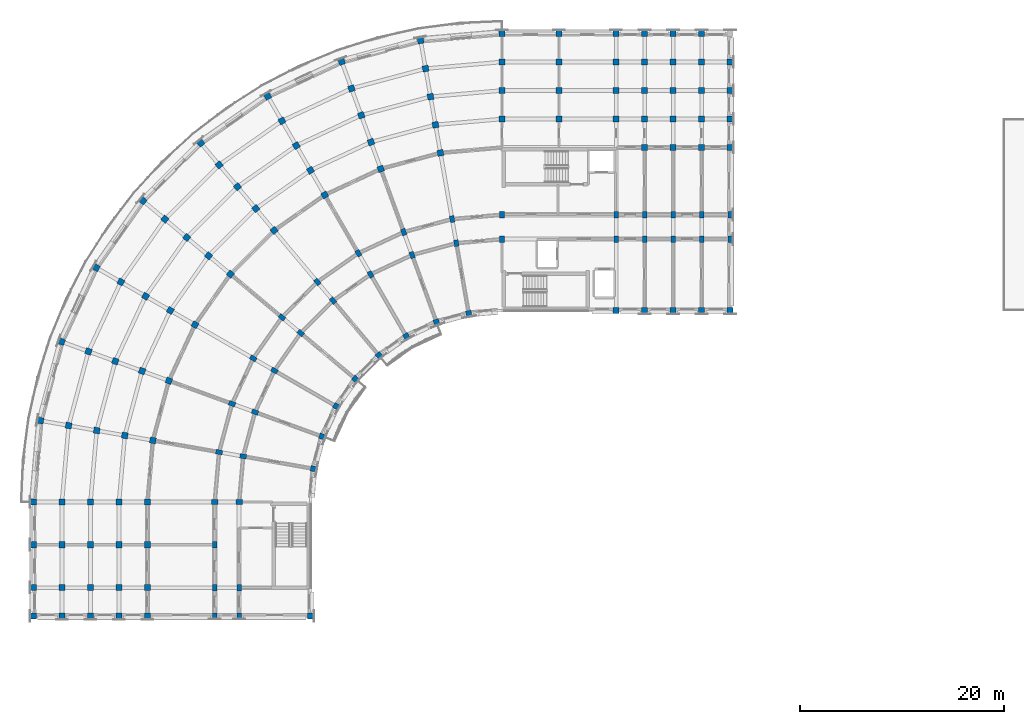
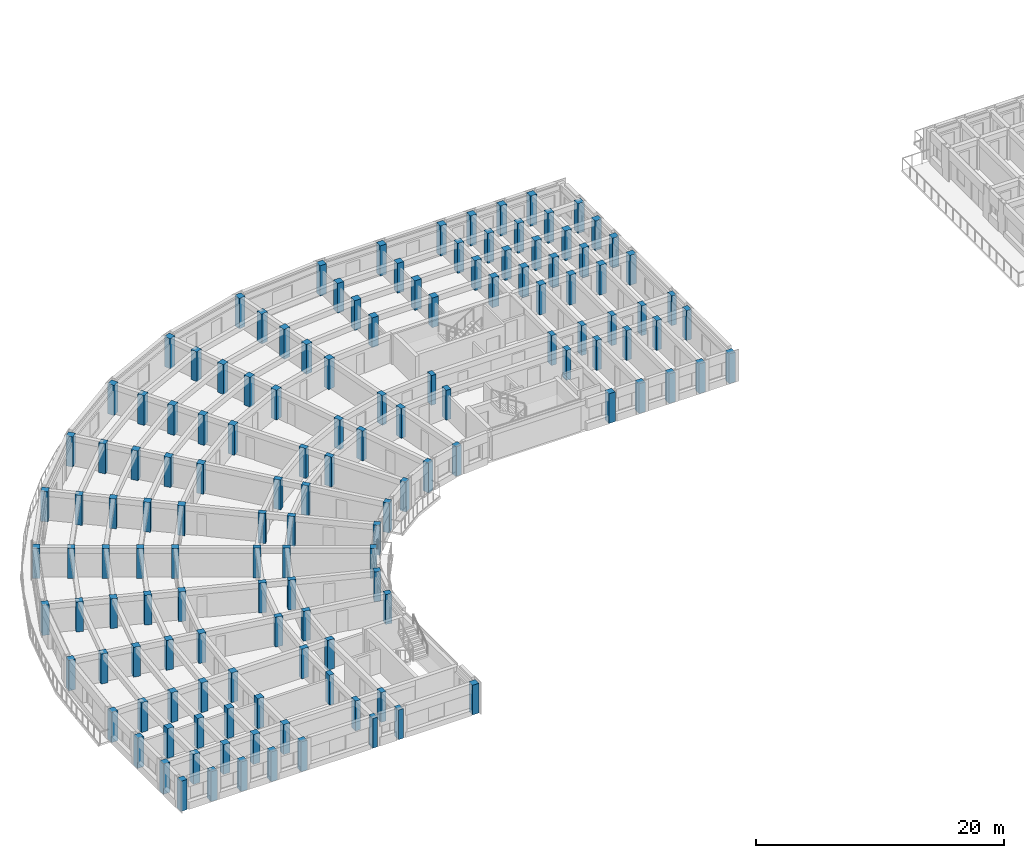
# One storey, part 1 of 36: 140 columns.
"""IFC4 building model written with IfcOpenShell, lengths in metres."""

from ifc_helpers import new_model, si_unit, direction, frame, origin, origin_2d, place, context, subcontext, project, spatial, rectangle, extrude, material, material_profile, profile_set, type_object, element, save


model = new_model("IFC4")

# Units and contexts
model_context = context("Model", 3, precision=1e-05, world=origin(), true_north=direction((0.0, 1.0)))
body_context = subcontext(model_context, "Body", "Model", "MODEL_VIEW")
ifc_project = project(units=[si_unit("LENGTHUNIT", "METRE"), si_unit("AREAUNIT", "SQUARE_METRE"), si_unit("VOLUMEUNIT", "CUBIC_METRE"), si_unit("PLANEANGLEUNIT", "RADIAN"), si_unit("MASSUNIT", "GRAM", prefix="KILO")], contexts=[model_context])

# Site, building, storey
site_placement = place(None, origin())
site = spatial("IfcSite", under=ifc_project, at=site_placement, CompositionType="ELEMENT")
building_placement = place(site_placement, origin())
building = spatial("IfcBuilding", under=site, at=building_placement, Name="Kiranvali Square Residences", CompositionType="ELEMENT")
storey_placement = place(building_placement, frame((0.0, 0.0, 37.050048828125)))
storey = spatial("IfcBuildingStorey", under=building, at=storey_placement, Name="L11", CompositionType="ELEMENT", Elevation=37.050048828125)

# Columns
ifc_material = material(Name="Concrete M40 (40 MPa)", Category="concrete")
ifc_material_profile_1 = material_profile(ifc_material, rectangle(XDim=0.550048828125, YDim=0.550048828125, at=origin_2d()), Name="RC 550x550")
ifc_profile_set_1 = profile_set([ifc_material_profile_1], Name="Concrete M40 (40 MPa)")
column_type_1 = type_object("IfcColumnType", Name="COL-M40-550", PredefinedType="COLUMN", material=ifc_profile_set_1)
for number, where, z_axis, x_axis, name in (
    (1, (44.935302734375, 106.314453125, 0.0), (0.0, 0.0, 1.0), (0.984807753012, 0.173648177667, 0.0), "Block A L11 radial column A01-R0"),
    (2, (41.77001953125, 105.46630859375, 0.0), (0.0, 0.0, 1.0), (0.939692620786, 0.342020143326, 0.0), "Block A L11 radial column A02-R0"),
    (3, (38.800048828125, 104.081298828125, 0.0), (0.0, 0.0, 1.0), (0.866025403784, 0.5, 0.0), "Block A L11 radial column A03-R0"),
    (4, (36.115478515625, 102.20166015625, 0.0), (0.0, 0.0, 1.0), (0.766044443119, 0.642787609687, 0.0), "Block A L11 radial column A04-R0"),
    (5, (33.79833984375, 99.884521484375, 0.0), (0.0, 0.0, 1.0), (0.642787609687, 0.766044443119, 0.0), "Block A L11 radial column A05-R0"),
    (6, (31.918701171875, 97.199951171875, 0.0), (0.0, 0.0, 1.0), (0.5, 0.866025403784, 0.0), "Block A L11 radial column A06-R0"),
    (7, (30.53369140625, 94.22998046875, 0.0), (0.0, 0.0, 1.0), (0.342020143326, 0.939692620786, 0.0), "Block A L11 radial column A07-R0"),
    (8, (29.685546875, 91.064697265625, 0.0), (0.0, 0.0, 1.0), (0.173648177667, 0.984807753012, 0.0), "Block A L11 radial column A08-R0"),
):
    element("IfcColumn", number, at=place(storey_placement, frame(where, z_axis=z_axis, x_axis=x_axis)), inside=storey, type_object=column_type_1, Name=name, PredefinedType="COLUMN", context=body_context, shape_type="SweptSolid", body=[
        extrude(rectangle(XDim=0.550048828125, YDim=0.550048828125, at=origin_2d()), origin(), (0.0, 0.0, 1.0), 2.929931640625),
    ])
ifc_material_profile_2 = material_profile(ifc_material, rectangle(XDim=0.60009765625, YDim=0.60009765625, at=origin_2d()), Name="RC 600x600")
ifc_profile_set_2 = profile_set([ifc_material_profile_2], Name="Concrete M40 (40 MPa)")
column_type_2 = type_object("IfcColumnType", Name="COL-M40-600", PredefinedType="COLUMN", material=ifc_profile_set_2)
for number, where, z_axis, x_axis, name in (
    (9, (48.199951171875, 125.39990234375, 0.0), (0.0, 0.0, 1.0), (1.0, 0.0, 0.0), "Block A L11 radial column A00-R4"),
    (10, (48.199951171875, 128.199951171875, 0.0), (0.0, 0.0, 1.0), (1.0, 0.0, 0.0), "Block A L11 radial column A00-R5"),
    (11, (48.199951171875, 131.0, 0.0), (0.0, 0.0, 1.0), (1.0, 0.0, 0.0), "Block A L11 radial column A00-R6"),
):
    element("IfcColumn", number, at=place(storey_placement, frame(where, z_axis=z_axis, x_axis=x_axis)), inside=storey, type_object=column_type_2, Name=name, PredefinedType="COLUMN", context=body_context, shape_type="SweptSolid", body=[
        extrude(rectangle(XDim=0.60009765625, YDim=0.60009765625, at=origin_2d()), origin(), (0.0, 0.0, 1.0), 2.929931640625),
    ])
column_1_placement = place(storey_placement, frame((48.199951171875, 133.800048828125, 0.0), z_axis=(0.0, 0.0, 1.0), x_axis=(1.0, 0.0, 0.0)))
element("IfcColumn", 12, at=column_1_placement, inside=storey, type_object=column_type_2, Name="Block A L11 radial column A00-R7", PredefinedType="COLUMN", context=body_context, shape_type="SweptSolid", body=[
    extrude(rectangle(XDim=0.60009765625, YDim=0.60009765625, at=origin_2d()), origin(), (0.0, 0.0, 1.0), 2.969970703125),
])
for number, where, z_axis, x_axis, name in (
    (13, (42.156982421875, 122.0712890625, 0.0), (0.0, 0.0, 1.0), (0.984807753012, 0.173648177667, 0.0), "Block A L11 radial column A01-R3"),
    (14, (41.6708984375, 124.828857421875, 0.0), (0.0, 0.0, 1.0), (0.984807753012, 0.173648177667, 0.0), "Block A L11 radial column A01-R4"),
    (15, (41.1845703125, 127.586181640625, 0.0), (0.0, 0.0, 1.0), (0.984807753012, 0.173648177667, 0.0), "Block A L11 radial column A01-R5"),
    (16, (40.698486328125, 130.34375, 0.0), (0.0, 0.0, 1.0), (0.984807753012, 0.173648177667, 0.0), "Block A L11 radial column A01-R6"),
):
    element("IfcColumn", number, at=place(storey_placement, frame(where, z_axis=z_axis, x_axis=x_axis)), inside=storey, type_object=column_type_2, Name=name, PredefinedType="COLUMN", context=body_context, shape_type="SweptSolid", body=[
        extrude(rectangle(XDim=0.60009765625, YDim=0.60009765625, at=origin_2d()), origin(), (0.0, 0.0, 1.0), 2.929931640625),
    ])
column_2_placement = place(storey_placement, frame((40.212158203125, 133.10107421875, 0.0), z_axis=(0.0, 0.0, 1.0), x_axis=(0.984807753012, 0.173648177667, 0.0)))
element("IfcColumn", 17, at=column_2_placement, inside=storey, type_object=column_type_2, Name="Block A L11 radial column A01-R7", PredefinedType="COLUMN", context=body_context, shape_type="SweptSolid", body=[
    extrude(rectangle(XDim=0.60009765625, YDim=0.60009765625, at=origin_2d()), origin(), (0.0, 0.0, 1.0), 2.969970703125),
])
for number, where, z_axis, x_axis, name in (
    (18, (36.297607421875, 120.501220703125, 0.0), (0.0, 0.0, 1.0), (0.939692620786, 0.342020143326, 0.0), "Block A L11 radial column A02-R3"),
    (19, (35.340087890625, 123.13232421875, 0.0), (0.0, 0.0, 1.0), (0.939692620786, 0.342020143326, 0.0), "Block A L11 radial column A02-R4"),
    (20, (34.38232421875, 125.763671875, 0.0), (0.0, 0.0, 1.0), (0.939692620786, 0.342020143326, 0.0), "Block A L11 radial column A02-R5"),
    (21, (33.4248046875, 128.394775390625, 0.0), (0.0, 0.0, 1.0), (0.939692620786, 0.342020143326, 0.0), "Block A L11 radial column A02-R6"),
):
    element("IfcColumn", number, at=place(storey_placement, frame(where, z_axis=z_axis, x_axis=x_axis)), inside=storey, type_object=column_type_2, Name=name, PredefinedType="COLUMN", context=body_context, shape_type="SweptSolid", body=[
        extrude(rectangle(XDim=0.60009765625, YDim=0.60009765625, at=origin_2d()), origin(), (0.0, 0.0, 1.0), 2.929931640625),
    ])
column_3_placement = place(storey_placement, frame((32.467041015625, 131.02587890625, 0.0), z_axis=(0.0, 0.0, 1.0), x_axis=(0.939692620786, 0.342020143326, 0.0)))
element("IfcColumn", 22, at=column_3_placement, inside=storey, type_object=column_type_2, Name="Block A L11 radial column A02-R7", PredefinedType="COLUMN", context=body_context, shape_type="SweptSolid", body=[
    extrude(rectangle(XDim=0.60009765625, YDim=0.60009765625, at=origin_2d()), origin(), (0.0, 0.0, 1.0), 2.969970703125),
])
for number, where, z_axis, x_axis, name in (
    (23, (30.800048828125, 117.937744140625, 0.0), (0.0, 0.0, 1.0), (0.866025403784, 0.5, 0.0), "Block A L11 radial column A03-R3"),
    (24, (29.39990234375, 120.362548828125, 0.0), (0.0, 0.0, 1.0), (0.866025403784, 0.5, 0.0), "Block A L11 radial column A03-R4"),
    (25, (28.0, 122.787353515625, 0.0), (0.0, 0.0, 1.0), (0.866025403784, 0.5, 0.0), "Block A L11 radial column A03-R5"),
    (26, (26.60009765625, 125.21240234375, 0.0), (0.0, 0.0, 1.0), (0.866025403784, 0.5, 0.0), "Block A L11 radial column A03-R6"),
):
    element("IfcColumn", number, at=place(storey_placement, frame(where, z_axis=z_axis, x_axis=x_axis)), inside=storey, type_object=column_type_2, Name=name, PredefinedType="COLUMN", context=body_context, shape_type="SweptSolid", body=[
        extrude(rectangle(XDim=0.60009765625, YDim=0.60009765625, at=origin_2d()), origin(), (0.0, 0.0, 1.0), 2.929931640625),
    ])
column_4_placement = place(storey_placement, frame((25.199951171875, 127.63720703125, 0.0), z_axis=(0.0, 0.0, 1.0), x_axis=(0.866025403784, 0.5, 0.0)))
element("IfcColumn", 27, at=column_4_placement, inside=storey, type_object=column_type_2, Name="Block A L11 radial column A03-R7", PredefinedType="COLUMN", context=body_context, shape_type="SweptSolid", body=[
    extrude(rectangle(XDim=0.60009765625, YDim=0.60009765625, at=origin_2d()), origin(), (0.0, 0.0, 1.0), 2.969970703125),
])
for number, where, z_axis, x_axis, name in (
    (28, (25.8310546875, 114.458251953125, 0.0), (0.0, 0.0, 1.0), (0.766044443119, 0.642787609687, 0.0), "Block A L11 radial column A04-R3"),
    (29, (24.03125, 116.603271484375, 0.0), (0.0, 0.0, 1.0), (0.766044443119, 0.642787609687, 0.0), "Block A L11 radial column A04-R4"),
    (30, (22.2314453125, 118.748291015625, 0.0), (0.0, 0.0, 1.0), (0.766044443119, 0.642787609687, 0.0), "Block A L11 radial column A04-R5"),
    (31, (20.431640625, 120.89306640625, 0.0), (0.0, 0.0, 1.0), (0.766044443119, 0.642787609687, 0.0), "Block A L11 radial column A04-R6"),
):
    element("IfcColumn", number, at=place(storey_placement, frame(where, z_axis=z_axis, x_axis=x_axis)), inside=storey, type_object=column_type_2, Name=name, PredefinedType="COLUMN", context=body_context, shape_type="SweptSolid", body=[
        extrude(rectangle(XDim=0.60009765625, YDim=0.60009765625, at=origin_2d()), origin(), (0.0, 0.0, 1.0), 2.929931640625),
    ])
column_5_placement = place(storey_placement, frame((18.6318359375, 123.0380859375, 0.0), z_axis=(0.0, 0.0, 1.0), x_axis=(0.766044443119, 0.642787609687, 0.0)))
element("IfcColumn", 32, at=column_5_placement, inside=storey, type_object=column_type_2, Name="Block A L11 radial column A04-R7", PredefinedType="COLUMN", context=body_context, shape_type="SweptSolid", body=[
    extrude(rectangle(XDim=0.60009765625, YDim=0.60009765625, at=origin_2d()), origin(), (0.0, 0.0, 1.0), 2.969970703125),
])
for number, where, z_axis, x_axis, name in (
    (33, (21.541748046875, 110.1689453125, 0.0), (0.0, 0.0, 1.0), (0.642787609687, 0.766044443119, 0.0), "Block A L11 radial column A05-R3"),
    (34, (19.396728515625, 111.96875, 0.0), (0.0, 0.0, 1.0), (0.642787609687, 0.766044443119, 0.0), "Block A L11 radial column A05-R4"),
    (35, (17.251708984375, 113.7685546875, 0.0), (0.0, 0.0, 1.0), (0.642787609687, 0.766044443119, 0.0), "Block A L11 radial column A05-R5"),
    (36, (15.10693359375, 115.568359375, 0.0), (0.0, 0.0, 1.0), (0.642787609687, 0.766044443119, 0.0), "Block A L11 radial column A05-R6"),
):
    element("IfcColumn", number, at=place(storey_placement, frame(where, z_axis=z_axis, x_axis=x_axis)), inside=storey, type_object=column_type_2, Name=name, PredefinedType="COLUMN", context=body_context, shape_type="SweptSolid", body=[
        extrude(rectangle(XDim=0.60009765625, YDim=0.60009765625, at=origin_2d()), origin(), (0.0, 0.0, 1.0), 2.929931640625),
    ])
column_6_placement = place(storey_placement, frame((12.9619140625, 117.3681640625, 0.0), z_axis=(0.0, 0.0, 1.0), x_axis=(0.642787609687, 0.766044443119, 0.0)))
element("IfcColumn", 37, at=column_6_placement, inside=storey, type_object=column_type_2, Name="Block A L11 radial column A05-R7", PredefinedType="COLUMN", context=body_context, shape_type="SweptSolid", body=[
    extrude(rectangle(XDim=0.60009765625, YDim=0.60009765625, at=origin_2d()), origin(), (0.0, 0.0, 1.0), 2.969970703125),
])
for number, where, z_axis, x_axis, name in (
    (38, (18.062255859375, 105.199951171875, 0.0), (0.0, 0.0, 1.0), (0.5, 0.866025403784, 0.0), "Block A L11 radial column A06-R3"),
    (39, (15.637451171875, 106.60009765625, 0.0), (0.0, 0.0, 1.0), (0.5, 0.866025403784, 0.0), "Block A L11 radial column A06-R4"),
    (40, (13.212646484375, 108.0, 0.0), (0.0, 0.0, 1.0), (0.5, 0.866025403784, 0.0), "Block A L11 radial column A06-R5"),
    (41, (10.78759765625, 109.39990234375, 0.0), (0.0, 0.0, 1.0), (0.5, 0.866025403784, 0.0), "Block A L11 radial column A06-R6"),
):
    element("IfcColumn", number, at=place(storey_placement, frame(where, z_axis=z_axis, x_axis=x_axis)), inside=storey, type_object=column_type_2, Name=name, PredefinedType="COLUMN", context=body_context, shape_type="SweptSolid", body=[
        extrude(rectangle(XDim=0.60009765625, YDim=0.60009765625, at=origin_2d()), origin(), (0.0, 0.0, 1.0), 2.929931640625),
    ])
column_7_placement = place(storey_placement, frame((8.36279296875, 110.800048828125, 0.0), z_axis=(0.0, 0.0, 1.0), x_axis=(0.5, 0.866025403784, 0.0)))
element("IfcColumn", 42, at=column_7_placement, inside=storey, type_object=column_type_2, Name="Block A L11 radial column A06-R7", PredefinedType="COLUMN", context=body_context, shape_type="SweptSolid", body=[
    extrude(rectangle(XDim=0.60009765625, YDim=0.60009765625, at=origin_2d()), origin(), (0.0, 0.0, 1.0), 2.969970703125),
])
for number, where, z_axis, x_axis, name in (
    (43, (15.498779296875, 99.702392578125, 0.0), (0.0, 0.0, 1.0), (0.342020143326, 0.939692620786, 0.0), "Block A L11 radial column A07-R3"),
    (44, (12.86767578125, 100.659912109375, 0.0), (0.0, 0.0, 1.0), (0.342020143326, 0.939692620786, 0.0), "Block A L11 radial column A07-R4"),
    (45, (10.236328125, 101.61767578125, 0.0), (0.0, 0.0, 1.0), (0.342020143326, 0.939692620786, 0.0), "Block A L11 radial column A07-R5"),
    (46, (7.605224609375, 102.5751953125, 0.0), (0.0, 0.0, 1.0), (0.342020143326, 0.939692620786, 0.0), "Block A L11 radial column A07-R6"),
):
    element("IfcColumn", number, at=place(storey_placement, frame(where, z_axis=z_axis, x_axis=x_axis)), inside=storey, type_object=column_type_2, Name=name, PredefinedType="COLUMN", context=body_context, shape_type="SweptSolid", body=[
        extrude(rectangle(XDim=0.60009765625, YDim=0.60009765625, at=origin_2d()), origin(), (0.0, 0.0, 1.0), 2.929931640625),
    ])
column_8_placement = place(storey_placement, frame((4.97412109375, 103.532958984375, 0.0), z_axis=(0.0, 0.0, 1.0), x_axis=(0.342020143326, 0.939692620786, 0.0)))
element("IfcColumn", 47, at=column_8_placement, inside=storey, type_object=column_type_2, Name="Block A L11 radial column A07-R7", PredefinedType="COLUMN", context=body_context, shape_type="SweptSolid", body=[
    extrude(rectangle(XDim=0.60009765625, YDim=0.60009765625, at=origin_2d()), origin(), (0.0, 0.0, 1.0), 2.969970703125),
])
for number, where, z_axis, x_axis, name in (
    (48, (13.9287109375, 93.843017578125, 0.0), (0.0, 0.0, 1.0), (0.173648177667, 0.984807753012, 0.0), "Block A L11 radial column A08-R3"),
    (49, (11.171142578125, 94.3291015625, 0.0), (0.0, 0.0, 1.0), (0.173648177667, 0.984807753012, 0.0), "Block A L11 radial column A08-R4"),
    (50, (8.413818359375, 94.8154296875, 0.0), (0.0, 0.0, 1.0), (0.173648177667, 0.984807753012, 0.0), "Block A L11 radial column A08-R5"),
    (51, (5.65625, 95.301513671875, 0.0), (0.0, 0.0, 1.0), (0.173648177667, 0.984807753012, 0.0), "Block A L11 radial column A08-R6"),
):
    element("IfcColumn", number, at=place(storey_placement, frame(where, z_axis=z_axis, x_axis=x_axis)), inside=storey, type_object=column_type_2, Name=name, PredefinedType="COLUMN", context=body_context, shape_type="SweptSolid", body=[
        extrude(rectangle(XDim=0.60009765625, YDim=0.60009765625, at=origin_2d()), origin(), (0.0, 0.0, 1.0), 2.929931640625),
    ])
column_9_placement = place(storey_placement, frame((2.89892578125, 95.787841796875, 0.0), z_axis=(0.0, 0.0, 1.0), x_axis=(0.173648177667, 0.984807753012, 0.0)))
element("IfcColumn", 52, at=column_9_placement, inside=storey, type_object=column_type_2, Name="Block A L11 radial column A08-R7", PredefinedType="COLUMN", context=body_context, shape_type="SweptSolid", body=[
    extrude(rectangle(XDim=0.60009765625, YDim=0.60009765625, at=origin_2d()), origin(), (0.0, 0.0, 1.0), 2.969970703125),
])
for number, where, z_axis, x_axis, name in (
    (53, (13.39990234375, 87.800048828125, 0.0), (0.0, 0.0, 1.0), (0.0, 1.0, 0.0), "Block A L11 radial column A09-R3"),
    (54, (10.60009765625, 87.800048828125, 0.0), (0.0, 0.0, 1.0), (0.0, 1.0, 0.0), "Block A L11 radial column A09-R4"),
    (55, (7.800048828125, 87.800048828125, 0.0), (0.0, 0.0, 1.0), (0.0, 1.0, 0.0), "Block A L11 radial column A09-R5"),
    (56, (5.0, 87.800048828125, 0.0), (0.0, 0.0, 1.0), (0.0, 1.0, 0.0), "Block A L11 radial column A09-R6"),
):
    element("IfcColumn", number, at=place(storey_placement, frame(where, z_axis=z_axis, x_axis=x_axis)), inside=storey, type_object=column_type_2, Name=name, PredefinedType="COLUMN", context=body_context, shape_type="SweptSolid", body=[
        extrude(rectangle(XDim=0.60009765625, YDim=0.60009765625, at=origin_2d()), origin(), (0.0, 0.0, 1.0), 2.929931640625),
    ])
column_10_placement = place(storey_placement, frame((2.199951171875, 87.800048828125, 0.0), z_axis=(0.0, 0.0, 1.0), x_axis=(0.0, 1.0, 0.0)))
element("IfcColumn", 57, at=column_10_placement, inside=storey, type_object=column_type_2, Name="Block A L11 radial column A09-R7", PredefinedType="COLUMN", context=body_context, shape_type="SweptSolid", body=[
    extrude(rectangle(XDim=0.60009765625, YDim=0.60009765625, at=origin_2d()), origin(), (0.0, 0.0, 1.0), 2.969970703125),
])
for number, where, z_axis, x_axis, name in (
    (58, (53.800048828125, 125.39990234375, 0.0), (0.0, 0.0, 1.0), (1.0, 0.0, 0.0), "Block A L11 core-front column U0-R4"),
    (59, (53.800048828125, 128.199951171875, 0.0), (0.0, 0.0, 1.0), (1.0, 0.0, 0.0), "Block A L11 core-front column U0-R5"),
    (60, (53.800048828125, 131.0, 0.0), (0.0, 0.0, 1.0), (1.0, 0.0, 0.0), "Block A L11 core-front column U0-R6"),
):
    element("IfcColumn", number, at=place(storey_placement, frame(where, z_axis=z_axis, x_axis=x_axis)), inside=storey, type_object=column_type_2, Name=name, PredefinedType="COLUMN", context=body_context, shape_type="SweptSolid", body=[
        extrude(rectangle(XDim=0.60009765625, YDim=0.60009765625, at=origin_2d()), origin(), (0.0, 0.0, 1.0), 2.929931640625),
    ])
column_11_placement = place(storey_placement, frame((53.800048828125, 133.800048828125, 0.0), z_axis=(0.0, 0.0, 1.0), x_axis=(1.0, 0.0, 0.0)))
element("IfcColumn", 61, at=column_11_placement, inside=storey, type_object=column_type_2, Name="Block A L11 core-front column U0-R7", PredefinedType="COLUMN", context=body_context, shape_type="SweptSolid", body=[
    extrude(rectangle(XDim=0.60009765625, YDim=0.60009765625, at=origin_2d()), origin(), (0.0, 0.0, 1.0), 2.969970703125),
])
for number, where, z_axis, x_axis, name in (
    (62, (59.39990234375, 106.60009765625, 0.0), (0.0, 0.0, 1.0), (1.0, 0.0, 0.0), "Block A L11 Arm 1 column U1-R0"),
    (63, (59.39990234375, 125.39990234375, 0.0), (0.0, 0.0, 1.0), (1.0, 0.0, 0.0), "Block A L11 Arm 1 column U1-R4"),
    (64, (59.39990234375, 128.199951171875, 0.0), (0.0, 0.0, 1.0), (1.0, 0.0, 0.0), "Block A L11 Arm 1 column U1-R5"),
    (65, (59.39990234375, 131.0, 0.0), (0.0, 0.0, 1.0), (1.0, 0.0, 0.0), "Block A L11 Arm 1 column U1-R6"),
):
    element("IfcColumn", number, at=place(storey_placement, frame(where, z_axis=z_axis, x_axis=x_axis)), inside=storey, type_object=column_type_2, Name=name, PredefinedType="COLUMN", context=body_context, shape_type="SweptSolid", body=[
        extrude(rectangle(XDim=0.60009765625, YDim=0.60009765625, at=origin_2d()), origin(), (0.0, 0.0, 1.0), 2.929931640625),
    ])
column_12_placement = place(storey_placement, frame((59.39990234375, 133.800048828125, 0.0), z_axis=(0.0, 0.0, 1.0), x_axis=(1.0, 0.0, 0.0)))
element("IfcColumn", 66, at=column_12_placement, inside=storey, type_object=column_type_2, Name="Block A L11 Arm 1 column U1-R7", PredefinedType="COLUMN", context=body_context, shape_type="SweptSolid", body=[
    extrude(rectangle(XDim=0.60009765625, YDim=0.60009765625, at=origin_2d()), origin(), (0.0, 0.0, 1.0), 2.969970703125),
])
for number, where, z_axis, x_axis, name in (
    (67, (62.199951171875, 106.60009765625, 0.0), (0.0, 0.0, 1.0), (1.0, 0.0, 0.0), "Block A L11 Arm 1 column U2-R0"),
    (68, (62.199951171875, 122.60009765625, 0.0), (0.0, 0.0, 1.0), (1.0, 0.0, 0.0), "Block A L11 Arm 1 column U2-R3"),
    (69, (62.199951171875, 125.39990234375, 0.0), (0.0, 0.0, 1.0), (1.0, 0.0, 0.0), "Block A L11 Arm 1 column U2-R4"),
    (70, (62.199951171875, 128.199951171875, 0.0), (0.0, 0.0, 1.0), (1.0, 0.0, 0.0), "Block A L11 Arm 1 column U2-R5"),
    (71, (62.199951171875, 131.0, 0.0), (0.0, 0.0, 1.0), (1.0, 0.0, 0.0), "Block A L11 Arm 1 column U2-R6"),
):
    element("IfcColumn", number, at=place(storey_placement, frame(where, z_axis=z_axis, x_axis=x_axis)), inside=storey, type_object=column_type_2, Name=name, PredefinedType="COLUMN", context=body_context, shape_type="SweptSolid", body=[
        extrude(rectangle(XDim=0.60009765625, YDim=0.60009765625, at=origin_2d()), origin(), (0.0, 0.0, 1.0), 2.929931640625),
    ])
column_13_placement = place(storey_placement, frame((62.199951171875, 133.800048828125, 0.0), z_axis=(0.0, 0.0, 1.0), x_axis=(1.0, 0.0, 0.0)))
element("IfcColumn", 72, at=column_13_placement, inside=storey, type_object=column_type_2, Name="Block A L11 Arm 1 column U2-R7", PredefinedType="COLUMN", context=body_context, shape_type="SweptSolid", body=[
    extrude(rectangle(XDim=0.60009765625, YDim=0.60009765625, at=origin_2d()), origin(), (0.0, 0.0, 1.0), 2.969970703125),
])
for number, where, z_axis, x_axis, name in (
    (73, (65.0, 106.60009765625, 0.0), (0.0, 0.0, 1.0), (1.0, 0.0, 0.0), "Block A L11 Arm 1 column U3-R0"),
    (74, (65.0, 122.60009765625, 0.0), (0.0, 0.0, 1.0), (1.0, 0.0, 0.0), "Block A L11 Arm 1 column U3-R3"),
    (75, (65.0, 125.39990234375, 0.0), (0.0, 0.0, 1.0), (1.0, 0.0, 0.0), "Block A L11 Arm 1 column U3-R4"),
    (76, (65.0, 128.199951171875, 0.0), (0.0, 0.0, 1.0), (1.0, 0.0, 0.0), "Block A L11 Arm 1 column U3-R5"),
    (77, (65.0, 131.0, 0.0), (0.0, 0.0, 1.0), (1.0, 0.0, 0.0), "Block A L11 Arm 1 column U3-R6"),
):
    element("IfcColumn", number, at=place(storey_placement, frame(where, z_axis=z_axis, x_axis=x_axis)), inside=storey, type_object=column_type_2, Name=name, PredefinedType="COLUMN", context=body_context, shape_type="SweptSolid", body=[
        extrude(rectangle(XDim=0.60009765625, YDim=0.60009765625, at=origin_2d()), origin(), (0.0, 0.0, 1.0), 2.929931640625),
    ])
column_14_placement = place(storey_placement, frame((65.0, 133.800048828125, 0.0), z_axis=(0.0, 0.0, 1.0), x_axis=(1.0, 0.0, 0.0)))
element("IfcColumn", 78, at=column_14_placement, inside=storey, type_object=column_type_2, Name="Block A L11 Arm 1 column U3-R7", PredefinedType="COLUMN", context=body_context, shape_type="SweptSolid", body=[
    extrude(rectangle(XDim=0.60009765625, YDim=0.60009765625, at=origin_2d()), origin(), (0.0, 0.0, 1.0), 2.969970703125),
])
for number, where, z_axis, x_axis, name in (
    (79, (67.800048828125, 106.60009765625, 0.0), (0.0, 0.0, 1.0), (1.0, 0.0, 0.0), "Block A L11 Arm 1 column U4-R0"),
    (80, (67.800048828125, 122.60009765625, 0.0), (0.0, 0.0, 1.0), (1.0, 0.0, 0.0), "Block A L11 Arm 1 column U4-R3"),
    (81, (67.800048828125, 125.39990234375, 0.0), (0.0, 0.0, 1.0), (1.0, 0.0, 0.0), "Block A L11 Arm 1 column U4-R4"),
    (82, (67.800048828125, 128.199951171875, 0.0), (0.0, 0.0, 1.0), (1.0, 0.0, 0.0), "Block A L11 Arm 1 column U4-R5"),
    (83, (67.800048828125, 131.0, 0.0), (0.0, 0.0, 1.0), (1.0, 0.0, 0.0), "Block A L11 Arm 1 column U4-R6"),
):
    element("IfcColumn", number, at=place(storey_placement, frame(where, z_axis=z_axis, x_axis=x_axis)), inside=storey, type_object=column_type_2, Name=name, PredefinedType="COLUMN", context=body_context, shape_type="SweptSolid", body=[
        extrude(rectangle(XDim=0.60009765625, YDim=0.60009765625, at=origin_2d()), origin(), (0.0, 0.0, 1.0), 2.929931640625),
    ])
column_15_placement = place(storey_placement, frame((67.800048828125, 133.800048828125, 0.0), z_axis=(0.0, 0.0, 1.0), x_axis=(1.0, 0.0, 0.0)))
element("IfcColumn", 84, at=column_15_placement, inside=storey, type_object=column_type_2, Name="Block A L11 Arm 1 column U4-R7", PredefinedType="COLUMN", context=body_context, shape_type="SweptSolid", body=[
    extrude(rectangle(XDim=0.60009765625, YDim=0.60009765625, at=origin_2d()), origin(), (0.0, 0.0, 1.0), 2.969970703125),
])
for number, where, z_axis, x_axis, name in (
    (85, (70.60009765625, 106.60009765625, 0.0), (0.0, 0.0, 1.0), (1.0, 0.0, 0.0), "Block A L11 Arm 1 column U5-R0"),
    (86, (70.60009765625, 122.60009765625, 0.0), (0.0, 0.0, 1.0), (1.0, 0.0, 0.0), "Block A L11 Arm 1 column U5-R3"),
    (87, (70.60009765625, 125.39990234375, 0.0), (0.0, 0.0, 1.0), (1.0, 0.0, 0.0), "Block A L11 Arm 1 column U5-R4"),
    (88, (70.60009765625, 128.199951171875, 0.0), (0.0, 0.0, 1.0), (1.0, 0.0, 0.0), "Block A L11 Arm 1 column U5-R5"),
    (89, (70.60009765625, 131.0, 0.0), (0.0, 0.0, 1.0), (1.0, 0.0, 0.0), "Block A L11 Arm 1 column U5-R6"),
    (90, (13.39990234375, 83.60009765625, 0.0), (0.0, 0.0, 1.0), (1.0, 0.0, 0.0), "Block A L11 Arm 2 mid-core column V0-R3"),
    (91, (10.60009765625, 83.60009765625, 0.0), (0.0, 0.0, 1.0), (1.0, 0.0, 0.0), "Block A L11 Arm 2 mid-core column V0-R4"),
    (92, (7.800048828125, 83.60009765625, 0.0), (0.0, 0.0, 1.0), (1.0, 0.0, 0.0), "Block A L11 Arm 2 mid-core column V0-R5"),
    (93, (5.0, 83.60009765625, 0.0), (0.0, 0.0, 1.0), (1.0, 0.0, 0.0), "Block A L11 Arm 2 mid-core column V0-R6"),
):
    element("IfcColumn", number, at=place(storey_placement, frame(where, z_axis=z_axis, x_axis=x_axis)), inside=storey, type_object=column_type_2, Name=name, PredefinedType="COLUMN", context=body_context, shape_type="SweptSolid", body=[
        extrude(rectangle(XDim=0.60009765625, YDim=0.60009765625, at=origin_2d()), origin(), (0.0, 0.0, 1.0), 2.929931640625),
    ])
column_16_placement = place(storey_placement, frame((2.199951171875, 83.60009765625, 0.0), z_axis=(0.0, 0.0, 1.0), x_axis=(1.0, 0.0, 0.0)))
element("IfcColumn", 94, at=column_16_placement, inside=storey, type_object=column_type_2, Name="Block A L11 Arm 2 mid-core column V0-R7", PredefinedType="COLUMN", context=body_context, shape_type="SweptSolid", body=[
    extrude(rectangle(XDim=0.60009765625, YDim=0.60009765625, at=origin_2d()), origin(), (0.0, 0.0, 1.0), 2.969970703125),
])
for number, where, z_axis, x_axis, name in (
    (95, (13.39990234375, 79.39990234375, 0.0), (0.0, 0.0, 1.0), (1.0, 0.0, 0.0), "Block A L11 Arm 2 column V1-R3"),
    (96, (10.60009765625, 79.39990234375, 0.0), (0.0, 0.0, 1.0), (1.0, 0.0, 0.0), "Block A L11 Arm 2 column V1-R4"),
    (97, (7.800048828125, 79.39990234375, 0.0), (0.0, 0.0, 1.0), (1.0, 0.0, 0.0), "Block A L11 Arm 2 column V1-R5"),
    (98, (5.0, 79.39990234375, 0.0), (0.0, 0.0, 1.0), (1.0, 0.0, 0.0), "Block A L11 Arm 2 column V1-R6"),
):
    element("IfcColumn", number, at=place(storey_placement, frame(where, z_axis=z_axis, x_axis=x_axis)), inside=storey, type_object=column_type_2, Name=name, PredefinedType="COLUMN", context=body_context, shape_type="SweptSolid", body=[
        extrude(rectangle(XDim=0.60009765625, YDim=0.60009765625, at=origin_2d()), origin(), (0.0, 0.0, 1.0), 2.929931640625),
    ])
column_17_placement = place(storey_placement, frame((2.199951171875, 79.39990234375, 0.0), z_axis=(0.0, 0.0, 1.0), x_axis=(1.0, 0.0, 0.0)))
element("IfcColumn", 99, at=column_17_placement, inside=storey, type_object=column_type_2, Name="Block A L11 Arm 2 column V1-R7", PredefinedType="COLUMN", context=body_context, shape_type="SweptSolid", body=[
    extrude(rectangle(XDim=0.60009765625, YDim=0.60009765625, at=origin_2d()), origin(), (0.0, 0.0, 1.0), 2.969970703125),
])
for number, where, z_axis, x_axis, name in (
    (100, (29.39990234375, 76.60009765625, 0.0), (0.0, 0.0, 1.0), (1.0, 0.0, 0.0), "Block A L11 Arm 2 column V2-R0"),
    (101, (13.39990234375, 76.60009765625, 0.0), (0.0, 0.0, 1.0), (1.0, 0.0, 0.0), "Block A L11 Arm 2 column V2-R3"),
    (102, (10.60009765625, 76.60009765625, 0.0), (0.0, 0.0, 1.0), (1.0, 0.0, 0.0), "Block A L11 Arm 2 column V2-R4"),
    (103, (7.800048828125, 76.60009765625, 0.0), (0.0, 0.0, 1.0), (1.0, 0.0, 0.0), "Block A L11 Arm 2 column V2-R5"),
    (104, (5.0, 76.60009765625, 0.0), (0.0, 0.0, 1.0), (1.0, 0.0, 0.0), "Block A L11 Arm 2 column V2-R6"),
):
    element("IfcColumn", number, at=place(storey_placement, frame(where, z_axis=z_axis, x_axis=x_axis)), inside=storey, type_object=column_type_2, Name=name, PredefinedType="COLUMN", context=body_context, shape_type="SweptSolid", body=[
        extrude(rectangle(XDim=0.60009765625, YDim=0.60009765625, at=origin_2d()), origin(), (0.0, 0.0, 1.0), 2.929931640625),
    ])
column_18_placement = place(storey_placement, frame((2.199951171875, 76.60009765625, 0.0), z_axis=(0.0, 0.0, 1.0), x_axis=(1.0, 0.0, 0.0)))
element("IfcColumn", 105, at=column_18_placement, inside=storey, type_object=column_type_2, Name="Block A L11 Arm 2 column V2-R7", PredefinedType="COLUMN", context=body_context, shape_type="SweptSolid", body=[
    extrude(rectangle(XDim=0.60009765625, YDim=0.60009765625, at=origin_2d()), origin(), (0.0, 0.0, 1.0), 2.969970703125),
])
ifc_material_profile_3 = material_profile(ifc_material, rectangle(XDim=0.449951171875, YDim=0.64990234375, at=origin_2d()), Name="RC 650x450")
ifc_profile_set_3 = profile_set([ifc_material_profile_3], Name="Concrete M40 (40 MPa)")
column_type_3 = type_object("IfcColumnType", Name="COL-M40-650x450", PredefinedType="COLUMN", material=ifc_profile_set_3)
for number, where, z_axis, x_axis, name in (
    (106, (48.199951171875, 113.60009765625, 0.0), (0.0, 0.0, 1.0), (1.0, 0.0, 0.0), "Block A L11 radial column A00-R1"),
    (107, (48.199951171875, 116.0, 0.0), (0.0, 0.0, 1.0), (1.0, 0.0, 0.0), "Block A L11 radial column A00-R2"),
    (108, (43.719970703125, 113.2080078125, 0.0), (0.0, 0.0, 1.0), (0.984807753012, 0.173648177667, 0.0), "Block A L11 radial column A01-R1"),
    (109, (43.30322265625, 115.571533203125, 0.0), (0.0, 0.0, 1.0), (0.984807753012, 0.173648177667, 0.0), "Block A L11 radial column A01-R2"),
    (110, (39.3759765625, 112.044189453125, 0.0), (0.0, 0.0, 1.0), (0.939692620786, 0.342020143326, 0.0), "Block A L11 radial column A02-R1"),
    (111, (38.554931640625, 114.29931640625, 0.0), (0.0, 0.0, 1.0), (0.939692620786, 0.342020143326, 0.0), "Block A L11 radial column A02-R2"),
    (112, (35.300048828125, 110.1435546875, 0.0), (0.0, 0.0, 1.0), (0.866025403784, 0.5, 0.0), "Block A L11 radial column A03-R1"),
    (113, (34.10009765625, 112.221923828125, 0.0), (0.0, 0.0, 1.0), (0.866025403784, 0.5, 0.0), "Block A L11 radial column A03-R2"),
    (114, (31.615966796875, 107.56396484375, 0.0), (0.0, 0.0, 1.0), (0.766044443119, 0.642787609687, 0.0), "Block A L11 radial column A04-R1"),
    (115, (30.073486328125, 109.40234375, 0.0), (0.0, 0.0, 1.0), (0.766044443119, 0.642787609687, 0.0), "Block A L11 radial column A04-R2"),
    (116, (28.43603515625, 104.384033203125, 0.0), (0.0, 0.0, 1.0), (0.642787609687, 0.766044443119, 0.0), "Block A L11 radial column A05-R1"),
    (117, (26.59765625, 105.926513671875, 0.0), (0.0, 0.0, 1.0), (0.642787609687, 0.766044443119, 0.0), "Block A L11 radial column A05-R2"),
    (118, (25.8564453125, 100.699951171875, 0.0), (0.0, 0.0, 1.0), (0.5, 0.866025403784, 0.0), "Block A L11 radial column A06-R1"),
    (119, (23.778076171875, 101.89990234375, 0.0), (0.0, 0.0, 1.0), (0.5, 0.866025403784, 0.0), "Block A L11 radial column A06-R2"),
    (120, (23.955810546875, 96.6240234375, 0.0), (0.0, 0.0, 1.0), (0.342020143326, 0.939692620786, 0.0), "Block A L11 radial column A07-R1"),
    (121, (21.70068359375, 97.445068359375, 0.0), (0.0, 0.0, 1.0), (0.342020143326, 0.939692620786, 0.0), "Block A L11 radial column A07-R2"),
    (122, (22.7919921875, 92.280029296875, 0.0), (0.0, 0.0, 1.0), (0.173648177667, 0.984807753012, 0.0), "Block A L11 radial column A08-R1"),
    (123, (20.428466796875, 92.69677734375, 0.0), (0.0, 0.0, 1.0), (0.173648177667, 0.984807753012, 0.0), "Block A L11 radial column A08-R2"),
    (124, (22.39990234375, 87.800048828125, 0.0), (0.0, 0.0, 1.0), (0.0, 1.0, 0.0), "Block A L11 radial column A09-R1"),
    (125, (20.0, 87.800048828125, 0.0), (0.0, 0.0, 1.0), (0.0, 1.0, 0.0), "Block A L11 radial column A09-R2"),
    (126, (59.39990234375, 113.60009765625, 0.0), (0.0, 0.0, 1.0), (1.0, 0.0, 0.0), "Block A L11 Arm 1 column U1-R1"),
    (127, (59.39990234375, 116.0, 0.0), (0.0, 0.0, 1.0), (1.0, 0.0, 0.0), "Block A L11 Arm 1 column U1-R2"),
    (128, (62.199951171875, 113.60009765625, 0.0), (0.0, 0.0, 1.0), (1.0, 0.0, 0.0), "Block A L11 Arm 1 column U2-R1"),
    (129, (62.199951171875, 116.0, 0.0), (0.0, 0.0, 1.0), (1.0, 0.0, 0.0), "Block A L11 Arm 1 column U2-R2"),
    (130, (65.0, 113.60009765625, 0.0), (0.0, 0.0, 1.0), (1.0, 0.0, 0.0), "Block A L11 Arm 1 column U3-R1"),
    (131, (65.0, 116.0, 0.0), (0.0, 0.0, 1.0), (1.0, 0.0, 0.0), "Block A L11 Arm 1 column U3-R2"),
    (132, (67.800048828125, 113.60009765625, 0.0), (0.0, 0.0, 1.0), (1.0, 0.0, 0.0), "Block A L11 Arm 1 column U4-R1"),
    (133, (67.800048828125, 116.0, 0.0), (0.0, 0.0, 1.0), (1.0, 0.0, 0.0), "Block A L11 Arm 1 column U4-R2"),
    (134, (70.60009765625, 113.60009765625, 0.0), (0.0, 0.0, 1.0), (1.0, 0.0, 0.0), "Block A L11 Arm 1 column U5-R1"),
    (135, (70.60009765625, 116.0, 0.0), (0.0, 0.0, 1.0), (1.0, 0.0, 0.0), "Block A L11 Arm 1 column U5-R2"),
    (136, (20.0, 83.60009765625, 0.0), (0.0, 0.0, 1.0), (1.0, 0.0, 0.0), "Block A L11 Arm 2 mid-core column V0-R2"),
    (137, (22.39990234375, 79.39990234375, 0.0), (0.0, 0.0, 1.0), (1.0, 0.0, 0.0), "Block A L11 Arm 2 column V1-R1"),
    (138, (20.0, 79.39990234375, 0.0), (0.0, 0.0, 1.0), (1.0, 0.0, 0.0), "Block A L11 Arm 2 column V1-R2"),
    (139, (22.39990234375, 76.60009765625, 0.0), (0.0, 0.0, 1.0), (1.0, 0.0, 0.0), "Block A L11 Arm 2 column V2-R1"),
    (140, (20.0, 76.60009765625, 0.0), (0.0, 0.0, 1.0), (1.0, 0.0, 0.0), "Block A L11 Arm 2 column V2-R2"),
):
    element("IfcColumn", number, at=place(storey_placement, frame(where, z_axis=z_axis, x_axis=x_axis)), inside=storey, type_object=column_type_3, Name=name, PredefinedType="COLUMN", context=body_context, shape_type="SweptSolid", body=[
        extrude(rectangle(XDim=0.449951171875, YDim=0.64990234375, at=origin_2d()), origin(), (0.0, 0.0, 1.0), 2.929931640625),
    ])

save(model, "model.ifc")
